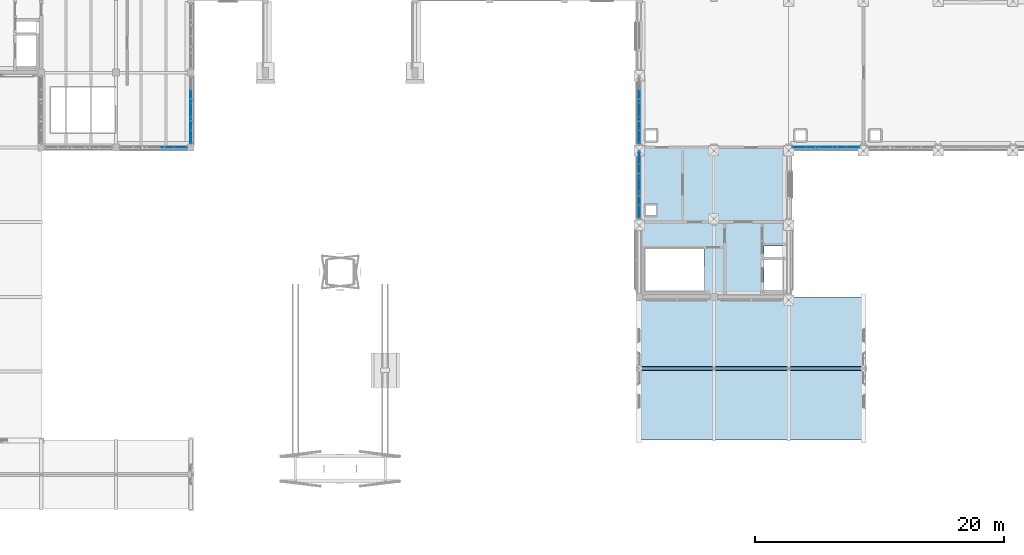
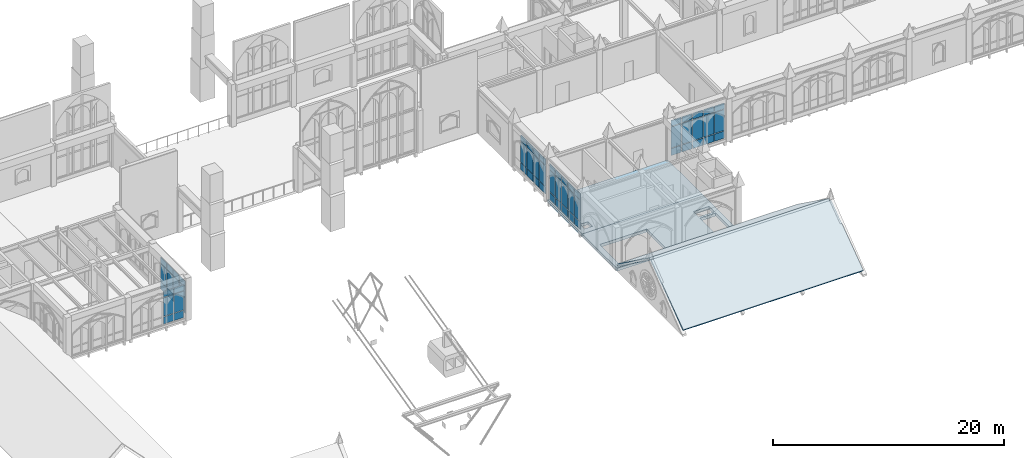
# One storey, part 67 of 108: 60 plates, 4 slabs, 5 elements without a shape of their own.
"""IFC4 building model written with IfcOpenShell, lengths in metres."""

from ifc_helpers import new_model, si_unit, direction, frame, origin, origin_2d, place, context, subcontext, project, spatial, polyline, rectangle, outline, extrude, material, layer, layer_set, type_object, element, aggregate, save


model = new_model("IFC4")

# Units and contexts
model_context = context("Model", 3, precision=1e-05, world=origin(), true_north=direction((0.0, 1.0)))
body_context = subcontext(model_context, "Body", "Model", "MODEL_VIEW")
ifc_project = project(units=[si_unit("LENGTHUNIT", "METRE"), si_unit("AREAUNIT", "SQUARE_METRE"), si_unit("VOLUMEUNIT", "CUBIC_METRE"), si_unit("PLANEANGLEUNIT", "RADIAN"), si_unit("MASSUNIT", "GRAM", prefix="KILO")], contexts=[model_context])

# Site, building, storey
site_placement = place(None, origin())
site = spatial("IfcSite", under=ifc_project, at=site_placement, CompositionType="ELEMENT")
building_placement = place(site_placement, origin())
building = spatial("IfcBuilding", under=site, at=building_placement, Name="Cumevento Cable Car Station", CompositionType="ELEMENT")
storey_placement = place(building_placement, frame((0.0, 0.0, 13.5)))
storey = spatial("IfcBuildingStorey", under=building, at=storey_placement, Name="L04", CompositionType="ELEMENT", Elevation=13.5)

# Slabs
ifc_material_1 = material(Name="Concrete C40/50", Category="concrete")
ifc_layer_1 = layer(ifc_material_1, 0.31494140625)
ifc_layer_set_1 = layer_set([ifc_layer_1], Name="Concrete C40/50")
slab_type_1 = type_object("IfcSlabType", Name="Concrete Deck FS-315 315", PredefinedType="FLOOR", material=ifc_layer_set_1)
slab_1_placement = place(storey_placement, frame((0.0, 0.0, -0.31494140625)))
element("IfcSlab", 1, at=slab_1_placement, inside=storey, type_object=slab_type_1, Name="Floor Slab FS-315 L04 B_V4b_core.1", PredefinedType="FLOOR", context=body_context, shape_type="SweptSolid", body=[
    extrude(outline(polyline([(118.0, 21.0), (130.0, 21.0), (130.0, 27.0), (118.0, 27.0), (118.0, 21.0)]), holes=[polyline([(128.010009765625, 21.5400390625), (129.580078125, 21.5400390625), (129.580078125, 23.9599609375), (128.010009765625, 23.9599609375), (128.010009765625, 21.5400390625)]), polyline([(118.52001953125, 21.52001953125), (123.199951171875, 21.52001953125), (123.199951171875, 24.85009765625), (118.52001953125, 24.85009765625), (118.52001953125, 21.52001953125)]), polyline([(128.010009765625, 24.199951171875), (129.580078125, 24.199951171875), (129.580078125, 25.10009765625), (128.010009765625, 25.10009765625), (128.010009765625, 24.199951171875)])]), origin(), (0.0, 0.0, 1.0), 0.31494140625),
])
slab_2_placement = place(storey_placement, frame((0.0, 0.0, -0.31494140625)))
element("IfcSlab", 2, at=slab_2_placement, inside=storey, type_object=slab_type_1, Name="Floor Slab FS-315 L04 B_V4b.1", PredefinedType="FLOOR", context=body_context, shape_type="SweptSolid", body=[
    extrude(outline(polyline([(118.0, 27.0), (130.0, 27.0), (130.0, 33.0), (118.0, 33.0), (118.0, 27.0)]), holes=[polyline([(118.550048828125, 27.550048828125), (119.35009765625, 27.550048828125), (119.35009765625, 28.35009765625), (118.550048828125, 28.35009765625), (118.550048828125, 27.550048828125)])]), origin(), (0.0, 0.0, 1.0), 0.31494140625),
])
ifc_material_2 = material(Name="Concrete C40/50", Category="concrete")
ifc_layer_2 = layer(ifc_material_2, 0.215087890625)
ifc_layer_set_2 = layer_set([ifc_layer_2], Name="Concrete C40/50")
slab_type_2 = type_object("IfcSlabType", Name="Concrete Deck RS-215 215", PredefinedType="ROOF", material=ifc_layer_set_2)
for number, where, z_axis, x_axis, name in (
    (3, (118.0, 9.5, 0.45751953125), (0.0, -0.585230858845, 0.810866722622), (1.0, 0.0, 0.0), "Wing B_V4a Gable Roof South"),
    (4, (118.0, 15.405029296875, 4.49560546875), (0.0, 0.585230858845, 0.810866722622), (1.0, 0.0, 0.0), "Wing B_V4a Gable Roof North"),
):
    element("IfcSlab", number, at=place(storey_placement, frame(where, z_axis=z_axis, x_axis=x_axis)), inside=storey, type_object=slab_type_2, Name=name, PredefinedType="ROOF", context=body_context, shape_type="SweptSolid", body=[
        extrude(outline(polyline([(0.0, 0.0), (18.0, 0.0), (18.0, 6.899988058501428), (0.0, 6.899988058501428), (0.0, 0.0)])), origin(), (0.0, 0.0, -1.0), 0.215087890625),
    ])

# Curtain wall, plates
ifc_material_3 = material(Name="Anodised Bronze Aluminium AW-6063-T6", Category="aluminium")
ifc_layer_3 = layer(ifc_material_3, 0.166015625)
ifc_layer_set_3 = layer_set([ifc_layer_3], Name="Anodised Bronze Aluminium AW-6063-T6")
curtain_wall_type_1 = type_object("IfcCurtainWallType", Name="Lancet Curtain Wall CW-02 1090", PredefinedType="NOTDEFINED", material=ifc_layer_set_3)
curtain_wall_1_placement = place(storey_placement, origin())
curtain_wall_1 = element("IfcCurtainWall", 5, at=curtain_wall_1_placement, inside=storey, type_object=curtain_wall_type_1, Name="Lancet Curtain Wall CW-02 L04 #145", PredefinedType="NOTDEFINED")
ifc_material_4 = material(Name="Solar Control Laminated Double Glazing", Category="glass")
ifc_layer_4 = layer(ifc_material_4, 0.0419921875)
ifc_layer_set_4 = layer_set([ifc_layer_4], Name="Solar Control Laminated Double Glazing")
plate_type_1 = type_object("IfcPlateType", Name="Glazed Panel CWP-06 42", PredefinedType="CURTAIN_PANEL", material=ifc_layer_set_4)
plate_1_placement = place(storey_placement, frame((81.163818359375, 33.0, 0.275146484375), z_axis=(0.0, 0.0, 1.0), x_axis=(-1.0, 0.0, 0.0)))
plate_1 = element("IfcPlate", 6, at=plate_1_placement, type_object=plate_type_1, Name="CW-02 panel 1.1", PredefinedType="CURTAIN_PANEL", context=body_context, shape_type="SweptSolid", body=[
    extrude(rectangle(XDim=0.992431640625, YDim=0.0419921875, at=origin_2d()), origin(), (0.0, 0.0, 1.0), 0.75244140625),
])
plate_2_placement = place(storey_placement, frame((81.163818359375, 33.0, 1.0927734375), z_axis=(0.0, 0.0, 1.0), x_axis=(-1.0, 0.0, 0.0)))
plate_2 = element("IfcPlate", 7, at=plate_2_placement, type_object=plate_type_1, Name="CW-02 panel 1.2", PredefinedType="CURTAIN_PANEL", context=body_context, shape_type="SweptSolid", body=[
    extrude(rectangle(XDim=0.992431640625, YDim=0.0419921875, at=origin_2d()), origin(), (0.0, 0.0, 1.0), 1.971923828125),
])
plate_3_placement = place(storey_placement, frame((81.163818359375, 33.0, 3.12939453125), z_axis=(0.0, 0.0, 1.0), x_axis=(-1.0, 0.0, 0.0)))
plate_3 = element("IfcPlate", 8, at=plate_3_placement, type_object=plate_type_1, Name="CW-02 panel 1.3", PredefinedType="CURTAIN_PANEL", context=body_context, shape_type="SweptSolid", body=[
    extrude(rectangle(XDim=0.992431640625, YDim=0.0419921875, at=origin_2d()), origin(), (0.0, 0.0, 1.0), 0.6025390625),
])
plate_4_placement = place(storey_placement, frame((80.090087890625, 33.0, 0.275146484375), z_axis=(0.0, 0.0, 1.0), x_axis=(-1.0, 0.0, 0.0)))
plate_4 = element("IfcPlate", 9, at=plate_4_placement, type_object=plate_type_1, Name="CW-02 panel 2.1", PredefinedType="CURTAIN_PANEL", context=body_context, shape_type="SweptSolid", body=[
    extrude(rectangle(XDim=1.02490234375, YDim=0.0419921875, at=origin_2d()), origin(), (0.0, 0.0, 1.0), 0.75244140625),
])
plate_5_placement = place(storey_placement, frame((80.090087890625, 33.0, 1.0927734375), z_axis=(0.0, 0.0, 1.0), x_axis=(-1.0, 0.0, 0.0)))
plate_5 = element("IfcPlate", 10, at=plate_5_placement, type_object=plate_type_1, Name="CW-02 panel 2.2", PredefinedType="CURTAIN_PANEL", context=body_context, shape_type="SweptSolid", body=[
    extrude(rectangle(XDim=1.02490234375, YDim=0.0419921875, at=origin_2d()), origin(), (0.0, 0.0, 1.0), 1.971923828125),
])
plate_6_placement = place(storey_placement, frame((80.090087890625, 33.0, 3.12939453125), z_axis=(0.0, 0.0, 1.0), x_axis=(-1.0, 0.0, 0.0)))
plate_6 = element("IfcPlate", 11, at=plate_6_placement, type_object=plate_type_1, Name="CW-02 panel 2.3", PredefinedType="CURTAIN_PANEL", context=body_context, shape_type="SweptSolid", body=[
    extrude(rectangle(XDim=1.02490234375, YDim=0.0419921875, at=origin_2d()), origin(), (0.0, 0.0, 1.0), 0.6025390625),
])
aggregate(curtain_wall_1, [plate_1, plate_2, plate_3, plate_4, plate_5, plate_6])

ifc_material_5 = material(Name="Anodised Bronze Aluminium AW-6063-T6", Category="aluminium")
ifc_layer_5 = layer(ifc_material_5, 0.177978515625)
ifc_layer_set_5 = layer_set([ifc_layer_5], Name="Anodised Bronze Aluminium AW-6063-T6")
curtain_wall_type_2 = type_object("IfcCurtainWallType", Name="Lancet Curtain Wall CW-04 1170", PredefinedType="NOTDEFINED", material=ifc_layer_set_5)
curtain_wall_2_placement = place(storey_placement, origin())
curtain_wall_2 = element("IfcCurtainWall", 12, at=curtain_wall_2_placement, inside=storey, type_object=curtain_wall_type_2, Name="Lancet Curtain Wall CW-04 L04 #147", PredefinedType="NOTDEFINED")
ifc_material_6 = material(Name="Solar Control Laminated Double Glazing", Category="glass")
ifc_layer_6 = layer(ifc_material_6, 0.050048828125)
ifc_layer_set_6 = layer_set([ifc_layer_6], Name="Solar Control Laminated Double Glazing")
plate_type_2 = type_object("IfcPlateType", Name="Glazed Panel CWP-08 50", PredefinedType="CURTAIN_PANEL", material=ifc_layer_set_6)
plate_7_placement = place(storey_placement, frame((82.0, 37.090087890625, 0.375), z_axis=(0.0, 0.0, 1.0), x_axis=(0.0, -1.0, 0.0)))
plate_7 = element("IfcPlate", 13, at=plate_7_placement, type_object=plate_type_2, Name="CW-04 panel 2.1", PredefinedType="CURTAIN_PANEL", context=body_context, shape_type="SweptSolid", body=[
    extrude(rectangle(XDim=1.02490234375, YDim=0.050048828125, at=origin_2d()), origin(), (0.0, 0.0, 1.0), 0.75244140625),
])
plate_8_placement = place(storey_placement, frame((82.0, 37.090087890625, 1.1923828125), z_axis=(0.0, 0.0, 1.0), x_axis=(0.0, -1.0, 0.0)))
plate_8 = element("IfcPlate", 14, at=plate_8_placement, type_object=plate_type_2, Name="CW-04 panel 2.2", PredefinedType="CURTAIN_PANEL", context=body_context, shape_type="SweptSolid", body=[
    extrude(rectangle(XDim=1.02490234375, YDim=0.050048828125, at=origin_2d()), origin(), (0.0, 0.0, 1.0), 1.8720703125),
])
plate_9_placement = place(storey_placement, frame((82.0, 37.090087890625, 3.12939453125), z_axis=(0.0, 0.0, 1.0), x_axis=(0.0, -1.0, 0.0)))
plate_9 = element("IfcPlate", 15, at=plate_9_placement, type_object=plate_type_2, Name="CW-04 panel 2.3", PredefinedType="CURTAIN_PANEL", context=body_context, shape_type="SweptSolid", body=[
    extrude(rectangle(XDim=1.02490234375, YDim=0.050048828125, at=origin_2d()), origin(), (0.0, 0.0, 1.0), 0.6025390625),
])
plate_10_placement = place(storey_placement, frame((82.0, 36.0, 0.375), z_axis=(0.0, 0.0, 1.0), x_axis=(0.0, -1.0, 0.0)))
plate_10 = element("IfcPlate", 16, at=plate_10_placement, type_object=plate_type_2, Name="CW-04 panel 3.1", PredefinedType="CURTAIN_PANEL", context=body_context, shape_type="SweptSolid", body=[
    extrude(rectangle(XDim=1.02490234375, YDim=0.050048828125, at=origin_2d()), origin(), (0.0, 0.0, 1.0), 0.75244140625),
])
plate_11_placement = place(storey_placement, frame((82.0, 36.0, 1.1923828125), z_axis=(0.0, 0.0, 1.0), x_axis=(0.0, -1.0, 0.0)))
plate_11 = element("IfcPlate", 17, at=plate_11_placement, type_object=plate_type_2, Name="CW-04 panel 3.2", PredefinedType="CURTAIN_PANEL", context=body_context, shape_type="SweptSolid", body=[
    extrude(rectangle(XDim=1.02490234375, YDim=0.050048828125, at=origin_2d()), origin(), (0.0, 0.0, 1.0), 1.8720703125),
])
plate_12_placement = place(storey_placement, frame((82.0, 36.0, 3.12939453125), z_axis=(0.0, 0.0, 1.0), x_axis=(0.0, -1.0, 0.0)))
plate_12 = element("IfcPlate", 18, at=plate_12_placement, type_object=plate_type_2, Name="CW-04 panel 3.3", PredefinedType="CURTAIN_PANEL", context=body_context, shape_type="SweptSolid", body=[
    extrude(rectangle(XDim=1.02490234375, YDim=0.050048828125, at=origin_2d()), origin(), (0.0, 0.0, 1.0), 0.6025390625),
])
plate_13_placement = place(storey_placement, frame((82.0, 34.909912109375, 0.375), z_axis=(0.0, 0.0, 1.0), x_axis=(0.0, -1.0, 0.0)))
plate_13 = element("IfcPlate", 19, at=plate_13_placement, type_object=plate_type_2, Name="CW-04 panel 4.1", PredefinedType="CURTAIN_PANEL", context=body_context, shape_type="SweptSolid", body=[
    extrude(rectangle(XDim=1.02490234375, YDim=0.050048828125, at=origin_2d()), origin(), (0.0, 0.0, 1.0), 0.75244140625),
])
plate_14_placement = place(storey_placement, frame((82.0, 34.909912109375, 1.1923828125), z_axis=(0.0, 0.0, 1.0), x_axis=(0.0, -1.0, 0.0)))
plate_14 = element("IfcPlate", 20, at=plate_14_placement, type_object=plate_type_2, Name="CW-04 panel 4.2", PredefinedType="CURTAIN_PANEL", context=body_context, shape_type="SweptSolid", body=[
    extrude(rectangle(XDim=1.02490234375, YDim=0.050048828125, at=origin_2d()), origin(), (0.0, 0.0, 1.0), 1.8720703125),
])
plate_15_placement = place(storey_placement, frame((82.0, 34.909912109375, 3.12939453125), z_axis=(0.0, 0.0, 1.0), x_axis=(0.0, -1.0, 0.0)))
plate_15 = element("IfcPlate", 21, at=plate_15_placement, type_object=plate_type_2, Name="CW-04 panel 4.3", PredefinedType="CURTAIN_PANEL", context=body_context, shape_type="SweptSolid", body=[
    extrude(rectangle(XDim=1.02490234375, YDim=0.050048828125, at=origin_2d()), origin(), (0.0, 0.0, 1.0), 0.6025390625),
])
plate_16_placement = place(storey_placement, frame((82.0, 33.836181640625, 0.375), z_axis=(0.0, 0.0, 1.0), x_axis=(0.0, -1.0, 0.0)))
plate_16 = element("IfcPlate", 22, at=plate_16_placement, type_object=plate_type_2, Name="CW-04 panel 5.1", PredefinedType="CURTAIN_PANEL", context=body_context, shape_type="SweptSolid", body=[
    extrude(rectangle(XDim=0.992431640625, YDim=0.050048828125, at=origin_2d()), origin(), (0.0, 0.0, 1.0), 0.75244140625),
])
plate_17_placement = place(storey_placement, frame((82.0, 33.836181640625, 1.1923828125), z_axis=(0.0, 0.0, 1.0), x_axis=(0.0, -1.0, 0.0)))
plate_17 = element("IfcPlate", 23, at=plate_17_placement, type_object=plate_type_2, Name="CW-04 panel 5.2", PredefinedType="CURTAIN_PANEL", context=body_context, shape_type="SweptSolid", body=[
    extrude(rectangle(XDim=0.992431640625, YDim=0.050048828125, at=origin_2d()), origin(), (0.0, 0.0, 1.0), 1.8720703125),
])
plate_18_placement = place(storey_placement, frame((82.0, 33.836181640625, 3.12939453125), z_axis=(0.0, 0.0, 1.0), x_axis=(0.0, -1.0, 0.0)))
plate_18 = element("IfcPlate", 24, at=plate_18_placement, type_object=plate_type_2, Name="CW-04 panel 5.3", PredefinedType="CURTAIN_PANEL", context=body_context, shape_type="SweptSolid", body=[
    extrude(rectangle(XDim=0.992431640625, YDim=0.050048828125, at=origin_2d()), origin(), (0.0, 0.0, 1.0), 0.6025390625),
])
aggregate(curtain_wall_2, [plate_7, plate_8, plate_9, plate_10, plate_11, plate_12, plate_13, plate_14, plate_15, plate_16, plate_17, plate_18])

curtain_wall_3_placement = place(storey_placement, origin())
curtain_wall_3 = element("IfcCurtainWall", 25, at=curtain_wall_3_placement, inside=storey, type_object=curtain_wall_type_1, Name="Lancet Curtain Wall CW-02 L04 #177", PredefinedType="NOTDEFINED")
ifc_material_7 = material(Name="Insulated Bronze Aluminium Spandrel Panel", Category="aluminium")
ifc_layer_7 = layer(ifc_material_7, 0.06005859375)
ifc_layer_set_7 = layer_set([ifc_layer_7], Name="Insulated Bronze Aluminium Spandrel Panel")
plate_type_3 = type_object("IfcPlateType", Name="Spandrel Panel CWP-10 60", PredefinedType="CURTAIN_PANEL", material=ifc_layer_set_7)
plate_19_placement = place(storey_placement, frame((118.0, 27.836181640625, 0.275146484375), z_axis=(0.0, 0.0, 1.0), x_axis=(0.0, 1.0, 0.0)))
plate_19 = element("IfcPlate", 26, at=plate_19_placement, type_object=plate_type_3, Name="CW-02 panel 1.1", PredefinedType="CURTAIN_PANEL", context=body_context, shape_type="SweptSolid", body=[
    extrude(rectangle(XDim=0.992431640625, YDim=0.06005859375, at=origin_2d()), origin(), (0.0, 0.0, 1.0), 0.75244140625),
])
plate_20_placement = place(storey_placement, frame((118.0, 27.836181640625, 1.092529296875), z_axis=(0.0, 0.0, 1.0), x_axis=(0.0, 1.0, 0.0)))
plate_20 = element("IfcPlate", 27, at=plate_20_placement, type_object=plate_type_3, Name="CW-02 panel 1.2", PredefinedType="CURTAIN_PANEL", context=body_context, shape_type="SweptSolid", body=[
    extrude(rectangle(XDim=0.992431640625, YDim=0.06005859375, at=origin_2d()), origin(), (0.0, 0.0, 1.0), 2.26806640625),
])
plate_21_placement = place(storey_placement, frame((118.0, 27.836181640625, 3.425537109375), z_axis=(0.0, 0.0, 1.0), x_axis=(0.0, 1.0, 0.0)))
plate_21 = element("IfcPlate", 28, at=plate_21_placement, type_object=plate_type_3, Name="CW-02 panel 1.3", PredefinedType="CURTAIN_PANEL", context=body_context, shape_type="SweptSolid", body=[
    extrude(rectangle(XDim=0.992431640625, YDim=0.06005859375, at=origin_2d()), origin(), (0.0, 0.0, 1.0), 0.6025390625),
])
plate_22_placement = place(storey_placement, frame((118.0, 28.909912109375, 0.275146484375), z_axis=(0.0, 0.0, 1.0), x_axis=(0.0, 1.0, 0.0)))
plate_22 = element("IfcPlate", 29, at=plate_22_placement, type_object=plate_type_3, Name="CW-02 panel 2.1", PredefinedType="CURTAIN_PANEL", context=body_context, shape_type="SweptSolid", body=[
    extrude(rectangle(XDim=1.02490234375, YDim=0.06005859375, at=origin_2d()), origin(), (0.0, 0.0, 1.0), 0.75244140625),
])
plate_23_placement = place(storey_placement, frame((118.0, 28.909912109375, 1.092529296875), z_axis=(0.0, 0.0, 1.0), x_axis=(0.0, 1.0, 0.0)))
plate_23 = element("IfcPlate", 30, at=plate_23_placement, type_object=plate_type_3, Name="CW-02 panel 2.2", PredefinedType="CURTAIN_PANEL", context=body_context, shape_type="SweptSolid", body=[
    extrude(rectangle(XDim=1.02490234375, YDim=0.06005859375, at=origin_2d()), origin(), (0.0, 0.0, 1.0), 2.26806640625),
])
plate_24_placement = place(storey_placement, frame((118.0, 28.909912109375, 3.425537109375), z_axis=(0.0, 0.0, 1.0), x_axis=(0.0, 1.0, 0.0)))
plate_24 = element("IfcPlate", 31, at=plate_24_placement, type_object=plate_type_3, Name="CW-02 panel 2.3", PredefinedType="CURTAIN_PANEL", context=body_context, shape_type="SweptSolid", body=[
    extrude(rectangle(XDim=1.02490234375, YDim=0.06005859375, at=origin_2d()), origin(), (0.0, 0.0, 1.0), 0.6025390625),
])
plate_25_placement = place(storey_placement, frame((118.0, 30.0, 0.275146484375), z_axis=(0.0, 0.0, 1.0), x_axis=(0.0, 1.0, 0.0)))
plate_25 = element("IfcPlate", 32, at=plate_25_placement, type_object=plate_type_3, Name="CW-02 panel 3.1", PredefinedType="CURTAIN_PANEL", context=body_context, shape_type="SweptSolid", body=[
    extrude(rectangle(XDim=1.02490234375, YDim=0.06005859375, at=origin_2d()), origin(), (0.0, 0.0, 1.0), 0.75244140625),
])
plate_26_placement = place(storey_placement, frame((118.0, 30.0, 1.092529296875), z_axis=(0.0, 0.0, 1.0), x_axis=(0.0, 1.0, 0.0)))
plate_26 = element("IfcPlate", 33, at=plate_26_placement, type_object=plate_type_3, Name="CW-02 panel 3.2", PredefinedType="CURTAIN_PANEL", context=body_context, shape_type="SweptSolid", body=[
    extrude(rectangle(XDim=1.02490234375, YDim=0.06005859375, at=origin_2d()), origin(), (0.0, 0.0, 1.0), 2.26806640625),
])
plate_27_placement = place(storey_placement, frame((118.0, 30.0, 3.425537109375), z_axis=(0.0, 0.0, 1.0), x_axis=(0.0, 1.0, 0.0)))
plate_27 = element("IfcPlate", 34, at=plate_27_placement, type_object=plate_type_3, Name="CW-02 panel 3.3", PredefinedType="CURTAIN_PANEL", context=body_context, shape_type="SweptSolid", body=[
    extrude(rectangle(XDim=1.02490234375, YDim=0.06005859375, at=origin_2d()), origin(), (0.0, 0.0, 1.0), 0.6025390625),
])
plate_28_placement = place(storey_placement, frame((118.0, 31.090087890625, 0.275146484375), z_axis=(0.0, 0.0, 1.0), x_axis=(0.0, 1.0, 0.0)))
plate_28 = element("IfcPlate", 35, at=plate_28_placement, type_object=plate_type_3, Name="CW-02 panel 4.1", PredefinedType="CURTAIN_PANEL", context=body_context, shape_type="SweptSolid", body=[
    extrude(rectangle(XDim=1.02490234375, YDim=0.06005859375, at=origin_2d()), origin(), (0.0, 0.0, 1.0), 0.75244140625),
])
plate_29_placement = place(storey_placement, frame((118.0, 31.090087890625, 1.092529296875), z_axis=(0.0, 0.0, 1.0), x_axis=(0.0, 1.0, 0.0)))
plate_29 = element("IfcPlate", 36, at=plate_29_placement, type_object=plate_type_3, Name="CW-02 panel 4.2", PredefinedType="CURTAIN_PANEL", context=body_context, shape_type="SweptSolid", body=[
    extrude(rectangle(XDim=1.02490234375, YDim=0.06005859375, at=origin_2d()), origin(), (0.0, 0.0, 1.0), 2.26806640625),
])
plate_30_placement = place(storey_placement, frame((118.0, 31.090087890625, 3.425537109375), z_axis=(0.0, 0.0, 1.0), x_axis=(0.0, 1.0, 0.0)))
plate_30 = element("IfcPlate", 37, at=plate_30_placement, type_object=plate_type_3, Name="CW-02 panel 4.3", PredefinedType="CURTAIN_PANEL", context=body_context, shape_type="SweptSolid", body=[
    extrude(rectangle(XDim=1.02490234375, YDim=0.06005859375, at=origin_2d()), origin(), (0.0, 0.0, 1.0), 0.6025390625),
])
plate_31_placement = place(storey_placement, frame((118.0, 32.163818359375, 0.275146484375), z_axis=(0.0, 0.0, 1.0), x_axis=(0.0, 1.0, 0.0)))
plate_31 = element("IfcPlate", 38, at=plate_31_placement, type_object=plate_type_3, Name="CW-02 panel 5.1", PredefinedType="CURTAIN_PANEL", context=body_context, shape_type="SweptSolid", body=[
    extrude(rectangle(XDim=0.992431640625, YDim=0.06005859375, at=origin_2d()), origin(), (0.0, 0.0, 1.0), 0.75244140625),
])
plate_32_placement = place(storey_placement, frame((118.0, 32.163818359375, 1.092529296875), z_axis=(0.0, 0.0, 1.0), x_axis=(0.0, 1.0, 0.0)))
plate_32 = element("IfcPlate", 39, at=plate_32_placement, type_object=plate_type_3, Name="CW-02 panel 5.2", PredefinedType="CURTAIN_PANEL", context=body_context, shape_type="SweptSolid", body=[
    extrude(rectangle(XDim=0.992431640625, YDim=0.06005859375, at=origin_2d()), origin(), (0.0, 0.0, 1.0), 2.26806640625),
])
plate_33_placement = place(storey_placement, frame((118.0, 32.163818359375, 3.425537109375), z_axis=(0.0, 0.0, 1.0), x_axis=(0.0, 1.0, 0.0)))
plate_33 = element("IfcPlate", 40, at=plate_33_placement, type_object=plate_type_3, Name="CW-02 panel 5.3", PredefinedType="CURTAIN_PANEL", context=body_context, shape_type="SweptSolid", body=[
    extrude(rectangle(XDim=0.992431640625, YDim=0.06005859375, at=origin_2d()), origin(), (0.0, 0.0, 1.0), 0.6025390625),
])
aggregate(curtain_wall_3, [plate_19, plate_20, plate_21, plate_22, plate_23, plate_24, plate_25, plate_26, plate_27, plate_28, plate_29, plate_30, plate_31, plate_32, plate_33])

ifc_material_8 = material(Name="Anodised Bronze Aluminium AW-6063-T6", Category="aluminium")
ifc_layer_8 = layer(ifc_material_8, 0.172119140625)
ifc_layer_set_8 = layer_set([ifc_layer_8], Name="Anodised Bronze Aluminium AW-6063-T6")
curtain_wall_type_3 = type_object("IfcCurtainWallType", Name="Lancet Curtain Wall CW-03 1130", PredefinedType="NOTDEFINED", material=ifc_layer_set_8)
curtain_wall_4_placement = place(storey_placement, origin())
curtain_wall_4 = element("IfcCurtainWall", 41, at=curtain_wall_4_placement, inside=storey, type_object=curtain_wall_type_3, Name="Lancet Curtain Wall CW-03 L04 #178", PredefinedType="NOTDEFINED")
ifc_material_9 = material(Name="Insulated Bronze Aluminium Spandrel Panel", Category="aluminium")
ifc_layer_9 = layer(ifc_material_9, 0.06591796875)
ifc_layer_set_9 = layer_set([ifc_layer_9], Name="Insulated Bronze Aluminium Spandrel Panel")
plate_type_4 = type_object("IfcPlateType", Name="Spandrel Panel CWP-11 66", PredefinedType="CURTAIN_PANEL", material=ifc_layer_set_9)
plate_34_placement = place(storey_placement, frame((135.163818359375, 33.0, 0.324951171875), z_axis=(0.0, 0.0, 1.0), x_axis=(-1.0, 0.0, 0.0)))
plate_34 = element("IfcPlate", 42, at=plate_34_placement, type_object=plate_type_4, Name="CW-03 panel 1.1", PredefinedType="CURTAIN_PANEL", context=body_context, shape_type="SweptSolid", body=[
    extrude(rectangle(XDim=0.992431640625, YDim=0.06591796875, at=origin_2d()), origin(), (0.0, 0.0, 1.0), 0.75244140625),
])
plate_35_placement = place(storey_placement, frame((135.163818359375, 33.0, 1.142578125), z_axis=(0.0, 0.0, 1.0), x_axis=(-1.0, 0.0, 0.0)))
plate_35 = element("IfcPlate", 43, at=plate_35_placement, type_object=plate_type_4, Name="CW-03 panel 1.2", PredefinedType="CURTAIN_PANEL", context=body_context, shape_type="SweptSolid", body=[
    extrude(rectangle(XDim=0.992431640625, YDim=0.06591796875, at=origin_2d()), origin(), (0.0, 0.0, 1.0), 2.218017578125),
])
plate_36_placement = place(storey_placement, frame((135.163818359375, 33.0, 3.425537109375), z_axis=(0.0, 0.0, 1.0), x_axis=(-1.0, 0.0, 0.0)))
plate_36 = element("IfcPlate", 44, at=plate_36_placement, type_object=plate_type_4, Name="CW-03 panel 1.3", PredefinedType="CURTAIN_PANEL", context=body_context, shape_type="SweptSolid", body=[
    extrude(rectangle(XDim=0.992431640625, YDim=0.06591796875, at=origin_2d()), origin(), (0.0, 0.0, 1.0), 0.6025390625),
])
plate_37_placement = place(storey_placement, frame((134.090087890625, 33.0, 0.324951171875), z_axis=(0.0, 0.0, 1.0), x_axis=(-1.0, 0.0, 0.0)))
plate_37 = element("IfcPlate", 45, at=plate_37_placement, type_object=plate_type_4, Name="CW-03 panel 2.1", PredefinedType="CURTAIN_PANEL", context=body_context, shape_type="SweptSolid", body=[
    extrude(rectangle(XDim=1.02490234375, YDim=0.06591796875, at=origin_2d()), origin(), (0.0, 0.0, 1.0), 0.75244140625),
])
plate_38_placement = place(storey_placement, frame((134.090087890625, 33.0, 1.142578125), z_axis=(0.0, 0.0, 1.0), x_axis=(-1.0, 0.0, 0.0)))
plate_38 = element("IfcPlate", 46, at=plate_38_placement, type_object=plate_type_4, Name="CW-03 panel 2.2", PredefinedType="CURTAIN_PANEL", context=body_context, shape_type="SweptSolid", body=[
    extrude(rectangle(XDim=1.02490234375, YDim=0.06591796875, at=origin_2d()), origin(), (0.0, 0.0, 1.0), 2.218017578125),
])
plate_39_placement = place(storey_placement, frame((134.090087890625, 33.0, 3.425537109375), z_axis=(0.0, 0.0, 1.0), x_axis=(-1.0, 0.0, 0.0)))
plate_39 = element("IfcPlate", 47, at=plate_39_placement, type_object=plate_type_4, Name="CW-03 panel 2.3", PredefinedType="CURTAIN_PANEL", context=body_context, shape_type="SweptSolid", body=[
    extrude(rectangle(XDim=1.02490234375, YDim=0.06591796875, at=origin_2d()), origin(), (0.0, 0.0, 1.0), 0.6025390625),
])
plate_40_placement = place(storey_placement, frame((133.0, 33.0, 0.324951171875), z_axis=(0.0, 0.0, 1.0), x_axis=(-1.0, 0.0, 0.0)))
plate_40 = element("IfcPlate", 48, at=plate_40_placement, type_object=plate_type_4, Name="CW-03 panel 3.1", PredefinedType="CURTAIN_PANEL", context=body_context, shape_type="SweptSolid", body=[
    extrude(rectangle(XDim=1.02490234375, YDim=0.06591796875, at=origin_2d()), origin(), (0.0, 0.0, 1.0), 0.75244140625),
])
plate_41_placement = place(storey_placement, frame((133.0, 33.0, 1.142578125), z_axis=(0.0, 0.0, 1.0), x_axis=(-1.0, 0.0, 0.0)))
plate_41 = element("IfcPlate", 49, at=plate_41_placement, type_object=plate_type_4, Name="CW-03 panel 3.2", PredefinedType="CURTAIN_PANEL", context=body_context, shape_type="SweptSolid", body=[
    extrude(rectangle(XDim=1.02490234375, YDim=0.06591796875, at=origin_2d()), origin(), (0.0, 0.0, 1.0), 2.218017578125),
])
plate_42_placement = place(storey_placement, frame((133.0, 33.0, 3.425537109375), z_axis=(0.0, 0.0, 1.0), x_axis=(-1.0, 0.0, 0.0)))
plate_42 = element("IfcPlate", 50, at=plate_42_placement, type_object=plate_type_4, Name="CW-03 panel 3.3", PredefinedType="CURTAIN_PANEL", context=body_context, shape_type="SweptSolid", body=[
    extrude(rectangle(XDim=1.02490234375, YDim=0.06591796875, at=origin_2d()), origin(), (0.0, 0.0, 1.0), 0.6025390625),
])
plate_43_placement = place(storey_placement, frame((131.909912109375, 33.0, 0.324951171875), z_axis=(0.0, 0.0, 1.0), x_axis=(-1.0, 0.0, 0.0)))
plate_43 = element("IfcPlate", 51, at=plate_43_placement, type_object=plate_type_4, Name="CW-03 panel 4.1", PredefinedType="CURTAIN_PANEL", context=body_context, shape_type="SweptSolid", body=[
    extrude(rectangle(XDim=1.02490234375, YDim=0.06591796875, at=origin_2d()), origin(), (0.0, 0.0, 1.0), 0.75244140625),
])
plate_44_placement = place(storey_placement, frame((131.909912109375, 33.0, 1.142578125), z_axis=(0.0, 0.0, 1.0), x_axis=(-1.0, 0.0, 0.0)))
plate_44 = element("IfcPlate", 52, at=plate_44_placement, type_object=plate_type_4, Name="CW-03 panel 4.2", PredefinedType="CURTAIN_PANEL", context=body_context, shape_type="SweptSolid", body=[
    extrude(rectangle(XDim=1.02490234375, YDim=0.06591796875, at=origin_2d()), origin(), (0.0, 0.0, 1.0), 2.218017578125),
])
plate_45_placement = place(storey_placement, frame((131.909912109375, 33.0, 3.425537109375), z_axis=(0.0, 0.0, 1.0), x_axis=(-1.0, 0.0, 0.0)))
plate_45 = element("IfcPlate", 53, at=plate_45_placement, type_object=plate_type_4, Name="CW-03 panel 4.3", PredefinedType="CURTAIN_PANEL", context=body_context, shape_type="SweptSolid", body=[
    extrude(rectangle(XDim=1.02490234375, YDim=0.06591796875, at=origin_2d()), origin(), (0.0, 0.0, 1.0), 0.6025390625),
])
plate_46_placement = place(storey_placement, frame((130.836181640625, 33.0, 0.324951171875), z_axis=(0.0, 0.0, 1.0), x_axis=(-1.0, 0.0, 0.0)))
plate_46 = element("IfcPlate", 54, at=plate_46_placement, type_object=plate_type_4, Name="CW-03 panel 5.1", PredefinedType="CURTAIN_PANEL", context=body_context, shape_type="SweptSolid", body=[
    extrude(rectangle(XDim=0.992431640625, YDim=0.06591796875, at=origin_2d()), origin(), (0.0, 0.0, 1.0), 0.75244140625),
])
plate_47_placement = place(storey_placement, frame((130.836181640625, 33.0, 1.142578125), z_axis=(0.0, 0.0, 1.0), x_axis=(-1.0, 0.0, 0.0)))
plate_47 = element("IfcPlate", 55, at=plate_47_placement, type_object=plate_type_4, Name="CW-03 panel 5.2", PredefinedType="CURTAIN_PANEL", context=body_context, shape_type="SweptSolid", body=[
    extrude(rectangle(XDim=0.992431640625, YDim=0.06591796875, at=origin_2d()), origin(), (0.0, 0.0, 1.0), 2.218017578125),
])
plate_48_placement = place(storey_placement, frame((130.836181640625, 33.0, 3.425537109375), z_axis=(0.0, 0.0, 1.0), x_axis=(-1.0, 0.0, 0.0)))
plate_48 = element("IfcPlate", 56, at=plate_48_placement, type_object=plate_type_4, Name="CW-03 panel 5.3", PredefinedType="CURTAIN_PANEL", context=body_context, shape_type="SweptSolid", body=[
    extrude(rectangle(XDim=0.992431640625, YDim=0.06591796875, at=origin_2d()), origin(), (0.0, 0.0, 1.0), 0.6025390625),
])
aggregate(curtain_wall_4, [plate_34, plate_35, plate_36, plate_37, plate_38, plate_39, plate_40, plate_41, plate_42, plate_43, plate_44, plate_45, plate_46, plate_47, plate_48])

curtain_wall_5_placement = place(storey_placement, origin())
curtain_wall_5 = element("IfcCurtainWall", 57, at=curtain_wall_5_placement, inside=storey, type_object=curtain_wall_type_2, Name="Lancet Curtain Wall CW-04 L04 #179", PredefinedType="NOTDEFINED")
ifc_material_10 = material(Name="Insulated Bronze Aluminium Spandrel Panel", Category="aluminium")
ifc_layer_10 = layer(ifc_material_10, 0.072021484375)
ifc_layer_set_10 = layer_set([ifc_layer_10], Name="Insulated Bronze Aluminium Spandrel Panel")
plate_type_5 = type_object("IfcPlateType", Name="Spandrel Panel CWP-12 72", PredefinedType="CURTAIN_PANEL", material=ifc_layer_set_10)
plate_49_placement = place(storey_placement, frame((118.0, 33.836181640625, 0.375), z_axis=(0.0, 0.0, 1.0), x_axis=(0.0, 1.0, 0.0)))
plate_49 = element("IfcPlate", 58, at=plate_49_placement, type_object=plate_type_5, Name="CW-04 panel 1.1", PredefinedType="CURTAIN_PANEL", context=body_context, shape_type="SweptSolid", body=[
    extrude(rectangle(XDim=0.992431640625, YDim=0.072021484375, at=origin_2d()), origin(), (0.0, 0.0, 1.0), 0.75244140625),
])
plate_50_placement = place(storey_placement, frame((118.0, 33.836181640625, 1.192626953125), z_axis=(0.0, 0.0, 1.0), x_axis=(0.0, 1.0, 0.0)))
plate_50 = element("IfcPlate", 59, at=plate_50_placement, type_object=plate_type_5, Name="CW-04 panel 1.2", PredefinedType="CURTAIN_PANEL", context=body_context, shape_type="SweptSolid", body=[
    extrude(rectangle(XDim=0.992431640625, YDim=0.072021484375, at=origin_2d()), origin(), (0.0, 0.0, 1.0), 2.16796875),
])
plate_51_placement = place(storey_placement, frame((118.0, 33.836181640625, 3.425537109375), z_axis=(0.0, 0.0, 1.0), x_axis=(0.0, 1.0, 0.0)))
plate_51 = element("IfcPlate", 60, at=plate_51_placement, type_object=plate_type_5, Name="CW-04 panel 1.3", PredefinedType="CURTAIN_PANEL", context=body_context, shape_type="SweptSolid", body=[
    extrude(rectangle(XDim=0.992431640625, YDim=0.072021484375, at=origin_2d()), origin(), (0.0, 0.0, 1.0), 0.6025390625),
])
plate_52_placement = place(storey_placement, frame((118.0, 34.909912109375, 0.375), z_axis=(0.0, 0.0, 1.0), x_axis=(0.0, 1.0, 0.0)))
plate_52 = element("IfcPlate", 61, at=plate_52_placement, type_object=plate_type_5, Name="CW-04 panel 2.1", PredefinedType="CURTAIN_PANEL", context=body_context, shape_type="SweptSolid", body=[
    extrude(rectangle(XDim=1.02490234375, YDim=0.072021484375, at=origin_2d()), origin(), (0.0, 0.0, 1.0), 0.75244140625),
])
plate_53_placement = place(storey_placement, frame((118.0, 34.909912109375, 1.192626953125), z_axis=(0.0, 0.0, 1.0), x_axis=(0.0, 1.0, 0.0)))
plate_53 = element("IfcPlate", 62, at=plate_53_placement, type_object=plate_type_5, Name="CW-04 panel 2.2", PredefinedType="CURTAIN_PANEL", context=body_context, shape_type="SweptSolid", body=[
    extrude(rectangle(XDim=1.02490234375, YDim=0.072021484375, at=origin_2d()), origin(), (0.0, 0.0, 1.0), 2.16796875),
])
plate_54_placement = place(storey_placement, frame((118.0, 34.909912109375, 3.425537109375), z_axis=(0.0, 0.0, 1.0), x_axis=(0.0, 1.0, 0.0)))
plate_54 = element("IfcPlate", 63, at=plate_54_placement, type_object=plate_type_5, Name="CW-04 panel 2.3", PredefinedType="CURTAIN_PANEL", context=body_context, shape_type="SweptSolid", body=[
    extrude(rectangle(XDim=1.02490234375, YDim=0.072021484375, at=origin_2d()), origin(), (0.0, 0.0, 1.0), 0.6025390625),
])
plate_55_placement = place(storey_placement, frame((118.0, 36.0, 0.375), z_axis=(0.0, 0.0, 1.0), x_axis=(0.0, 1.0, 0.0)))
plate_55 = element("IfcPlate", 64, at=plate_55_placement, type_object=plate_type_5, Name="CW-04 panel 3.1", PredefinedType="CURTAIN_PANEL", context=body_context, shape_type="SweptSolid", body=[
    extrude(rectangle(XDim=1.02490234375, YDim=0.072021484375, at=origin_2d()), origin(), (0.0, 0.0, 1.0), 0.75244140625),
])
plate_56_placement = place(storey_placement, frame((118.0, 36.0, 1.192626953125), z_axis=(0.0, 0.0, 1.0), x_axis=(0.0, 1.0, 0.0)))
plate_56 = element("IfcPlate", 65, at=plate_56_placement, type_object=plate_type_5, Name="CW-04 panel 3.2", PredefinedType="CURTAIN_PANEL", context=body_context, shape_type="SweptSolid", body=[
    extrude(rectangle(XDim=1.02490234375, YDim=0.072021484375, at=origin_2d()), origin(), (0.0, 0.0, 1.0), 2.16796875),
])
plate_57_placement = place(storey_placement, frame((118.0, 36.0, 3.425537109375), z_axis=(0.0, 0.0, 1.0), x_axis=(0.0, 1.0, 0.0)))
plate_57 = element("IfcPlate", 66, at=plate_57_placement, type_object=plate_type_5, Name="CW-04 panel 3.3", PredefinedType="CURTAIN_PANEL", context=body_context, shape_type="SweptSolid", body=[
    extrude(rectangle(XDim=1.02490234375, YDim=0.072021484375, at=origin_2d()), origin(), (0.0, 0.0, 1.0), 0.6025390625),
])
plate_58_placement = place(storey_placement, frame((118.0, 37.090087890625, 0.375), z_axis=(0.0, 0.0, 1.0), x_axis=(0.0, 1.0, 0.0)))
plate_58 = element("IfcPlate", 67, at=plate_58_placement, type_object=plate_type_5, Name="CW-04 panel 4.1", PredefinedType="CURTAIN_PANEL", context=body_context, shape_type="SweptSolid", body=[
    extrude(rectangle(XDim=1.02490234375, YDim=0.072021484375, at=origin_2d()), origin(), (0.0, 0.0, 1.0), 0.75244140625),
])
plate_59_placement = place(storey_placement, frame((118.0, 37.090087890625, 1.192626953125), z_axis=(0.0, 0.0, 1.0), x_axis=(0.0, 1.0, 0.0)))
plate_59 = element("IfcPlate", 68, at=plate_59_placement, type_object=plate_type_5, Name="CW-04 panel 4.2", PredefinedType="CURTAIN_PANEL", context=body_context, shape_type="SweptSolid", body=[
    extrude(rectangle(XDim=1.02490234375, YDim=0.072021484375, at=origin_2d()), origin(), (0.0, 0.0, 1.0), 2.16796875),
])
plate_60_placement = place(storey_placement, frame((118.0, 37.090087890625, 3.425537109375), z_axis=(0.0, 0.0, 1.0), x_axis=(0.0, 1.0, 0.0)))
plate_60 = element("IfcPlate", 69, at=plate_60_placement, type_object=plate_type_5, Name="CW-04 panel 4.3", PredefinedType="CURTAIN_PANEL", context=body_context, shape_type="SweptSolid", body=[
    extrude(rectangle(XDim=1.02490234375, YDim=0.072021484375, at=origin_2d()), origin(), (0.0, 0.0, 1.0), 0.6025390625),
])
aggregate(curtain_wall_5, [plate_49, plate_50, plate_51, plate_52, plate_53, plate_54, plate_55, plate_56, plate_57, plate_58, plate_59, plate_60])

save(model, "model.ifc")
